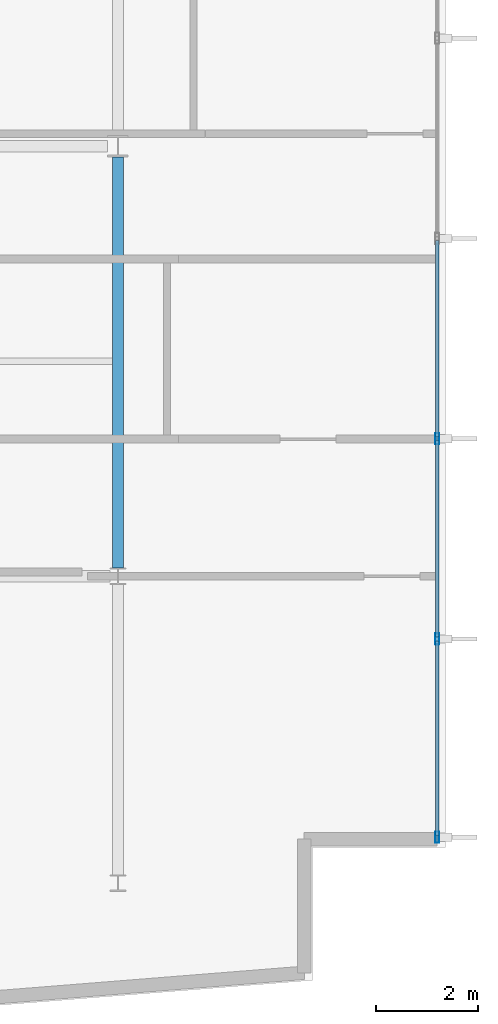
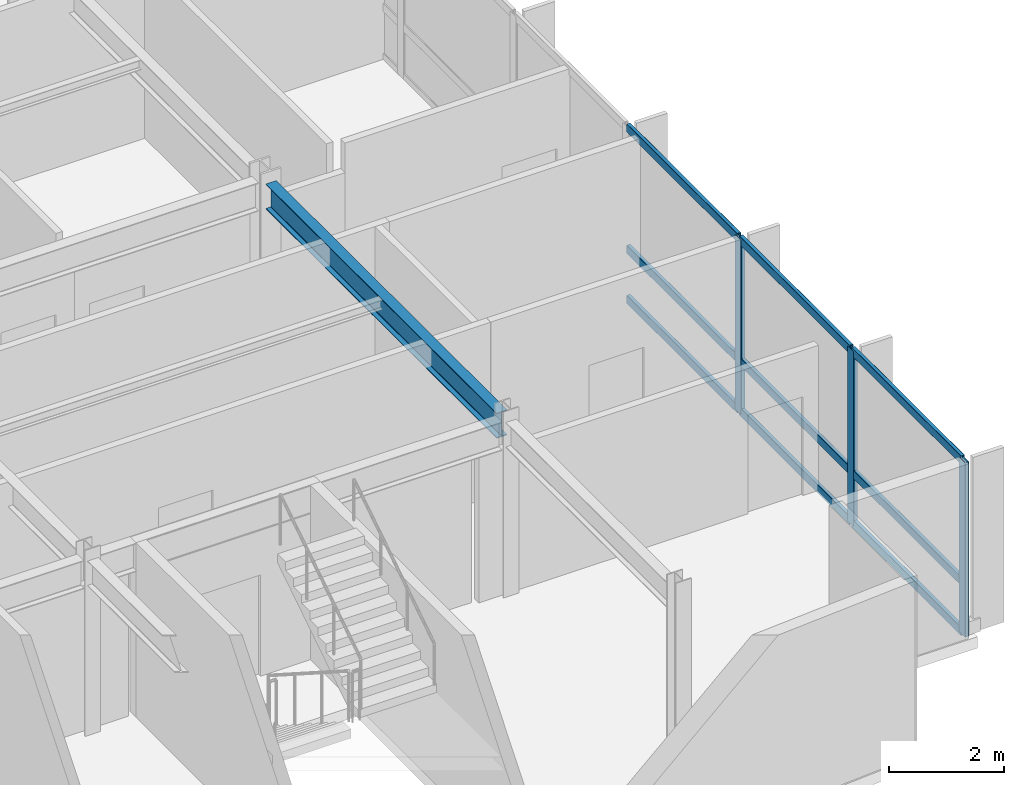
# One storey, part 5 of 19: 12 members, 1 beam, 1 element without a shape of its own.
"""IFC4 building model written with IfcOpenShell, lengths in metres."""

import ifcopenshell
import ifcopenshell.guid

model = None  # the IFC model being written
_history = None  # IfcOwnerHistory: only IFC2X3 demands one
_inside = {}  # id of a spatial element -> (the spatial element, [elements in it])
_under = {}  # id of a project, library or spatial element -> (it, [spatial elements below it])
_declared = {}  # id of a project -> (the project, [libraries it declares])
_typed = {}  # id of a type object -> (the type object, [elements of that type])
_made_of = {}  # id of a material, layer set ... -> (it, [elements and type objects made of it])


def new_model(schema):
    """Start an empty IFC model of exactly this schema.

    Asked for "IFC4X3", IfcOpenShell would pick the latest addendum, in which some entities
    have other attributes; the version numbers below select the first issue.
    IFC2X3 requires an IfcOwnerHistory on every rooted entity: one is made here for all.
    """
    global model, _history
    if schema == "IFC4X3":
        model = ifcopenshell.file(schema_version=(4, 3, 0, 0))
    else:
        model = ifcopenshell.file(schema=schema)
    _inside.clear()
    _under.clear()
    _declared.clear()
    _typed.clear()
    _made_of.clear()
    _history = None
    if model.schema == "IFC2X3":
        org = make("IfcOrganization", Name="unknown")
        user = make(
            "IfcPersonAndOrganization",
            ThePerson=make("IfcPerson", FamilyName="unknown"),
            TheOrganization=org,
        )
        app = make(
            "IfcApplication",
            ApplicationDeveloper=org,
            Version="unknown",
            ApplicationFullName="unknown",
            ApplicationIdentifier="unknown",
        )
        _history = make(
            "IfcOwnerHistory",
            OwningUser=user,
            OwningApplication=app,
            ChangeAction="ADDED",
            CreationDate=0,
        )
    return model


def make(cls, **values):
    """One entity of the class cls with the attributes given. An attribute that is None is left unset."""
    return model.create_entity(
        cls, **{name: value for name, value in values.items() if value is not None}
    )


def rooted(cls, **values):
    """An entity with a GlobalId (a new one), such as an element, a storey or a relation."""
    return make(cls, GlobalId=ifcopenshell.guid.new(), OwnerHistory=_history, **values)


def si_unit(unit_type, name, prefix=None):
    """IfcSIUnit, for example si_unit("LENGTHUNIT", "METRE", prefix="MILLI")."""
    return make("IfcSIUnit", UnitType=unit_type, Prefix=prefix, Name=name)


def assignment(units):
    """IfcUnitAssignment: the units of a project."""
    return None if units is None else make("IfcUnitAssignment", Units=units)


def point(xyz):
    """IfcCartesianPoint."""
    return None if xyz is None else make("IfcCartesianPoint", Coordinates=xyz)


def direction(xyz):
    """IfcDirection."""
    return None if xyz is None else make("IfcDirection", DirectionRatios=xyz)


def frame(location, z_axis=None, x_axis=None):
    """IfcAxis2Placement3D, a coordinate frame: its origin and axes. An axis left out is left unset."""
    return make(
        "IfcAxis2Placement3D",
        Location=point(location),
        Axis=direction(z_axis),
        RefDirection=direction(x_axis),
    )


def frame_2d(location, x_axis=None):
    """IfcAxis2Placement2D, a coordinate frame in the plane: its origin and x axis."""
    return make(
        "IfcAxis2Placement2D", Location=point(location), RefDirection=direction(x_axis)
    )


def origin():
    """The frame at (0, 0, 0) with its axes left unset."""
    return frame((0.0, 0.0, 0.0))


def origin_2d():
    """The frame at (0, 0) in the plane with its x axis left unset."""
    return frame_2d((0.0, 0.0))


def place(relative_to, where):
    """IfcLocalPlacement: puts the frame where relative to a parent placement (None: the world)."""
    return make(
        "IfcLocalPlacement", PlacementRelTo=relative_to, RelativePlacement=where
    )


def context(
    kind, dimensions, precision=None, world=None, true_north=None, identifier=None
):
    """IfcGeometricRepresentationContext, for example the 3D "Model" context."""
    return make(
        "IfcGeometricRepresentationContext",
        ContextIdentifier=identifier,
        ContextType=kind,
        CoordinateSpaceDimension=dimensions,
        Precision=precision,
        WorldCoordinateSystem=world,
        TrueNorth=true_north,
    )


def subcontext(parent, identifier, kind, view, scale=None):
    """IfcGeometricRepresentationSubContext, for example "Body" below "Model"."""
    return make(
        "IfcGeometricRepresentationSubContext",
        ContextIdentifier=identifier,
        ContextType=kind,
        ParentContext=parent,
        TargetScale=scale,
        TargetView=view,
    )


def project(units=None, contexts=None):
    """IfcProject with its units and contexts."""
    return rooted(
        "IfcProject",
        Name="project",
        RepresentationContexts=contexts,
        UnitsInContext=assignment(units),
    )


def spatial(cls, under=None, at=None, **own):
    """A site, building, storey or space (cls), placed at a placement, below another one or the project."""
    s = rooted(cls, ObjectPlacement=at, **own)
    if under is not None:
        _under.setdefault(under.id(), (under, []))[1].append(s)
    return s


def profile(cls, at=None, kind="AREA", **sizes):
    """A parametric profile (cls). Its sizes go by their IFC names, for example OverallWidth=200.0."""
    return make(cls, ProfileType=kind, Position=at, **sizes)


def hollow_rectangle(**sizes):
    """IfcRectangleHollowProfileDef."""
    return profile("IfcRectangleHollowProfileDef", **sizes)


def i_section(**sizes):
    """IfcIShapeProfileDef."""
    return profile("IfcIShapeProfileDef", **sizes)


def extrude(swept, where, along, depth):
    """IfcExtrudedAreaSolid: the profile swept, set in the frame where, extruded along a direction by depth."""
    return make(
        "IfcExtrudedAreaSolid",
        SweptArea=swept,
        Position=where,
        ExtrudedDirection=direction(along),
        Depth=depth,
    )


def shape(context_of_items, identifier, shape_type, items):
    """IfcShapeRepresentation: the items that make up one representation, for example the "Body"."""
    return make(
        "IfcShapeRepresentation",
        ContextOfItems=context_of_items,
        RepresentationIdentifier=identifier,
        RepresentationType=shape_type,
        Items=items,
    )


def material(Name=None, Category=None):
    """IfcMaterial."""
    return make("IfcMaterial", Name=Name, Category=Category)


def layer(
    of_material, thickness, ventilated=None, Name=None, Category=None, Priority=None
):
    """IfcMaterialLayer: one layer of a wall or slab, of a material (None: an air gap)."""
    return make(
        "IfcMaterialLayer",
        Material=of_material,
        LayerThickness=thickness,
        IsVentilated=ventilated,
        Name=Name,
        Category=Category,
        Priority=Priority,
    )


def layer_set(layers, Name=None):
    """IfcMaterialLayerSet."""
    return make("IfcMaterialLayerSet", MaterialLayers=layers, LayerSetName=Name)


def material_profile(
    of_material, cross_section, Name=None, Category=None, Priority=None
):
    """IfcMaterialProfile: a cross section and its material."""
    return make(
        "IfcMaterialProfile",
        Name=Name,
        Material=of_material,
        Profile=cross_section,
        Priority=Priority,
        Category=Category,
    )


def profile_set(profiles, Name=None, composite=None):
    """IfcMaterialProfileSet."""
    return make(
        "IfcMaterialProfileSet",
        Name=Name,
        MaterialProfiles=profiles,
        CompositeProfile=composite,
    )


def made_of(thing, what):
    """Note that an element or type object is made of a material, layer set ...; save() writes the relation."""
    if what is not None:
        _made_of.setdefault(what.id(), (what, []))[1].append(thing)
    return thing


def type_object(cls, material=None, **own):
    """A type object (cls), such as IfcWallType, which elements share."""
    return made_of(rooted(cls, **own), material)


def element(
    cls,
    number,
    at=None,
    inside=None,
    cuts=None,
    type_object=None,
    material=None,
    context=None,
    identifier="Body",
    shape_type=None,
    held_by="IfcProductDefinitionShape",
    body=None,
    shapes=None,
    **own,
):
    """One element of the class cls, such as IfcWall. Its Tag is "e" and its number.

    at: its placement. inside: the storey or other place that contains it. cuts: it is an
    opening in that element (IfcRelVoidsElement). A single representation is given by context,
    identifier, shape_type and body (its items); several are given by shapes. held_by: the class
    of the entity that holds the representations. save() writes the other relations.
    """
    e = rooted(cls, Tag="e%d" % number, ObjectPlacement=at, **own)
    if body is not None:
        shapes = [shape(context, identifier, shape_type, body)]
    if shapes is not None:
        e.Representation = make(held_by, Representations=shapes)
    if inside is not None:
        _inside.setdefault(inside.id(), (inside, []))[1].append(e)
    if cuts is not None:
        rooted(
            "IfcRelVoidsElement", RelatingBuildingElement=cuts, RelatedOpeningElement=e
        )
    if type_object is not None:
        _typed.setdefault(type_object.id(), (type_object, []))[1].append(e)
    return made_of(e, material)


def aggregate(whole, parts):
    """IfcRelAggregates: a whole, such as a stair, and the parts it consists of."""
    return rooted("IfcRelAggregates", RelatingObject=whole, RelatedObjects=parts)


def save(model, path):
    """Write the relations noted so far, then the file.

    IfcRelAggregates (storeys below a building ...), IfcRelContainedInSpatialStructure (elements
    in a storey), IfcRelDefinesByType, IfcRelAssociatesMaterial and IfcRelDeclares: one each for
    every whole, place, type object, material and project.
    """
    for whole, parts in _under.values():
        aggregate(whole, parts)
    for where, things in _inside.values():
        rooted(
            "IfcRelContainedInSpatialStructure",
            RelatedElements=things,
            RelatingStructure=where,
        )
    for kind, things in _typed.values():
        rooted("IfcRelDefinesByType", RelatedObjects=things, RelatingType=kind)
    for what, things in _made_of.values():
        rooted("IfcRelAssociatesMaterial", RelatedObjects=things, RelatingMaterial=what)
    for by, libraries in _declared.values():
        rooted("IfcRelDeclares", RelatingContext=by, RelatedDefinitions=libraries)
    model.write(path)


model = new_model("IFC4")

# Units and contexts
model_context = context("Model", 3, precision=1e-05, world=origin(), true_north=direction((0.0, 1.0)))
body_context = subcontext(model_context, "Body", "Model", "MODEL_VIEW")
ifc_project = project(units=[si_unit("LENGTHUNIT", "METRE"), si_unit("AREAUNIT", "SQUARE_METRE"), si_unit("VOLUMEUNIT", "CUBIC_METRE"), si_unit("PLANEANGLEUNIT", "RADIAN"), si_unit("MASSUNIT", "GRAM", prefix="KILO")], contexts=[model_context])

# Site, building, storey
site_placement = place(None, origin())
site = spatial("IfcSite", under=ifc_project, at=site_placement, CompositionType="ELEMENT")
building_placement = place(site_placement, origin())
building = spatial("IfcBuilding", under=site, at=building_placement, Name="Varnakote Quay Hospital", CompositionType="ELEMENT")
storey_placement = place(building_placement, frame((0.0, 0.0, 115.199951171875)))
storey = spatial("IfcBuildingStorey", under=building, at=storey_placement, Name="L28", CompositionType="ELEMENT", Elevation=115.199951171875)

# Beam
ifc_material_1 = material(Name="Structural steel AS/NZS 3679.1 Grade 350 L0 (fy 340 MPa)", Category="steel")
ifc_material_profile_1 = material_profile(ifc_material_1, i_section(OverallWidth=0.208984375, OverallDepth=0.532958984375, WebThickness=0.01025390625, FlangeThickness=0.015625, FilletRadius=0.013916015625, at=origin_2d()), Name="530UB92.4")
ifc_profile_set_1 = profile_set([ifc_material_profile_1], Name="Structural steel AS/NZS 3679.1 Grade 350 L0 (fy 340 MPa)")
beam_type = type_object("IfcBeamType", Name="BM-STL-530UB92-4", PredefinedType="BEAM", material=ifc_profile_set_1)
beam_placement = place(storey_placement, frame((50.39990234375, 12.160400390625, 3.443603515625), z_axis=(0.0, 1.0, 0.0), x_axis=(-1.0, 0.0, 0.0)))
element("IfcBeam", 1, at=beam_placement, inside=storey, type_object=beam_type, Name="L28 Primary Tie Beam", PredefinedType="BEAM", context=body_context, shape_type="SweptSolid", body=[
    extrude(i_section(OverallWidth=0.208984375, OverallDepth=0.532958984375, WebThickness=0.01025390625, FlangeThickness=0.015625, FilletRadius=0.013916015625, at=origin_2d()), origin(), (0.0, 0.0, 1.0), 8.029541015625),
])

# Curtain wall, members
ifc_material_2 = material(Name="Anodised aluminium 6063-T6 Bronze", Category="aluminium")
ifc_layer = layer(ifc_material_2, 0.205078125)
ifc_layer_set = layer_set([ifc_layer], Name="Anodised aluminium 6063-T6 Bronze")
curtain_wall_type = type_object("IfcCurtainWallType", Name="CW-SYS-3", PredefinedType="NOTDEFINED", material=ifc_layer_set)
curtain_wall_placement = place(storey_placement, origin())
curtain_wall = element("IfcCurtainWall", 2, at=curtain_wall_placement, inside=storey, type_object=curtain_wall_type, Name="L28 Unitised Bronze Curtain Wall 1", PredefinedType="NOTDEFINED")
ifc_material_3 = material(Name="Anodised aluminium 6063-T6 Bronze", Category="aluminium")
ifc_material_profile_2 = material_profile(ifc_material_3, hollow_rectangle(XDim=0.074951171875, YDim=0.219970703125, WallThickness=0.00439453125, InnerFilletRadius=0.00439453125, OuterFilletRadius=0.009033203125, at=origin_2d()), Name="CW-MULL-220x75")
ifc_profile_set_2 = profile_set([ifc_material_profile_2], Name="Anodised aluminium 6063-T6 Bronze")
member_type_1 = type_object("IfcMemberType", Name="CW-MULL-220x75", PredefinedType="MULLION", material=ifc_profile_set_2)
member_1_placement = place(storey_placement, frame((56.639892578125, 6.8974609375, 0.0), z_axis=(0.0, 0.0, 1.0), x_axis=(-1.0, 0.0, 0.0)))
member_1 = element("IfcMember", 3, at=member_1_placement, type_object=member_type_1, Name="-3-L28-1 mullion 1", PredefinedType="MULLION", context=body_context, shape_type="SweptSolid", body=[
    extrude(hollow_rectangle(XDim=0.074951171875, YDim=0.219970703125, WallThickness=0.00439453125, InnerFilletRadius=0.00439453125, OuterFilletRadius=0.009033203125, at=origin_2d()), origin(), (0.0, 0.0, 1.0), 3.7099609375),
])
member_2_placement = place(storey_placement, frame((56.639892578125, 10.7734375, 0.0), z_axis=(0.0, 0.0, 1.0), x_axis=(-1.0, 0.0, 0.0)))
member_2 = element("IfcMember", 4, at=member_2_placement, type_object=member_type_1, Name="-3-L28-1 mullion 2", PredefinedType="MULLION", context=body_context, shape_type="SweptSolid", body=[
    extrude(hollow_rectangle(XDim=0.074951171875, YDim=0.219970703125, WallThickness=0.00439453125, InnerFilletRadius=0.00439453125, OuterFilletRadius=0.009033203125, at=origin_2d()), origin(), (0.0, 0.0, 1.0), 3.7099609375),
])
member_3_placement = place(storey_placement, frame((56.639892578125, 14.686767578125, 0.0), z_axis=(0.0, 0.0, 1.0), x_axis=(-1.0, 0.0, 0.0)))
member_3 = element("IfcMember", 5, at=member_3_placement, type_object=member_type_1, Name="-3-L28-1 mullion 3", PredefinedType="MULLION", context=body_context, shape_type="SweptSolid", body=[
    extrude(hollow_rectangle(XDim=0.074951171875, YDim=0.219970703125, WallThickness=0.00439453125, InnerFilletRadius=0.00439453125, OuterFilletRadius=0.009033203125, at=origin_2d()), origin(), (0.0, 0.0, 1.0), 3.7099609375),
])
ifc_material_4 = material(Name="Anodised aluminium 6063-T6 Bronze", Category="aluminium")
ifc_material_profile_3 = material_profile(ifc_material_4, hollow_rectangle(XDim=0.074951171875, YDim=0.179931640625, WallThickness=0.004150390625, InnerFilletRadius=0.004150390625, OuterFilletRadius=0.00830078125, at=origin_2d()), Name="CW-TRAN-180x75")
ifc_profile_set_3 = profile_set([ifc_material_profile_3], Name="Anodised aluminium 6063-T6 Bronze")
member_type_2 = type_object("IfcMemberType", Name="CW-TRAN-180x75", PredefinedType="USERDEFINED", material=ifc_profile_set_3)
member_4_placement = place(storey_placement, frame((56.639892578125, 6.93505859375, 0.03759765625), z_axis=(0.0, 1.0, 0.0), x_axis=(-1.0, 0.0, 0.0)))
member_4 = element("IfcMember", 6, at=member_4_placement, type_object=member_type_2, Name="-3-L28-1 transom 1.1", ObjectType="TRANSOM", PredefinedType="USERDEFINED", context=body_context, shape_type="SweptSolid", body=[
    extrude(hollow_rectangle(XDim=0.074951171875, YDim=0.179931640625, WallThickness=0.004150390625, InnerFilletRadius=0.004150390625, OuterFilletRadius=0.00830078125, at=origin_2d()), origin(), (0.0, 0.0, 1.0), 3.80078125),
])
member_5_placement = place(storey_placement, frame((56.639892578125, 6.93505859375, 1.10009765625), z_axis=(0.0, 1.0, 0.0), x_axis=(-1.0, 0.0, 0.0)))
member_5 = element("IfcMember", 7, at=member_5_placement, type_object=member_type_2, Name="-3-L28-1 transom 1.2", ObjectType="TRANSOM", PredefinedType="USERDEFINED", context=body_context, shape_type="SweptSolid", body=[
    extrude(hollow_rectangle(XDim=0.074951171875, YDim=0.179931640625, WallThickness=0.004150390625, InnerFilletRadius=0.004150390625, OuterFilletRadius=0.00830078125, at=origin_2d()), origin(), (0.0, 0.0, 1.0), 3.80078125),
])
member_6_placement = place(storey_placement, frame((56.639892578125, 6.93505859375, 3.672607421875), z_axis=(0.0, 1.0, 0.0), x_axis=(-1.0, 0.0, 0.0)))
member_6 = element("IfcMember", 8, at=member_6_placement, type_object=member_type_2, Name="-3-L28-1 transom 1.3", ObjectType="TRANSOM", PredefinedType="USERDEFINED", context=body_context, shape_type="SweptSolid", body=[
    extrude(hollow_rectangle(XDim=0.074951171875, YDim=0.179931640625, WallThickness=0.004150390625, InnerFilletRadius=0.004150390625, OuterFilletRadius=0.00830078125, at=origin_2d()), origin(), (0.0, 0.0, 1.0), 3.80078125),
])
member_7_placement = place(storey_placement, frame((56.639892578125, 10.810791015625, 0.03759765625), z_axis=(0.0, 1.0, 0.0), x_axis=(-1.0, 0.0, 0.0)))
member_7 = element("IfcMember", 9, at=member_7_placement, type_object=member_type_2, Name="-3-L28-1 transom 2.1", ObjectType="TRANSOM", PredefinedType="USERDEFINED", context=body_context, shape_type="SweptSolid", body=[
    extrude(hollow_rectangle(XDim=0.074951171875, YDim=0.179931640625, WallThickness=0.004150390625, InnerFilletRadius=0.004150390625, OuterFilletRadius=0.00830078125, at=origin_2d()), origin(), (0.0, 0.0, 1.0), 3.83837890625),
])
member_8_placement = place(storey_placement, frame((56.639892578125, 10.810791015625, 1.10009765625), z_axis=(0.0, 1.0, 0.0), x_axis=(-1.0, 0.0, 0.0)))
member_8 = element("IfcMember", 10, at=member_8_placement, type_object=member_type_2, Name="-3-L28-1 transom 2.2", ObjectType="TRANSOM", PredefinedType="USERDEFINED", context=body_context, shape_type="SweptSolid", body=[
    extrude(hollow_rectangle(XDim=0.074951171875, YDim=0.179931640625, WallThickness=0.004150390625, InnerFilletRadius=0.004150390625, OuterFilletRadius=0.00830078125, at=origin_2d()), origin(), (0.0, 0.0, 1.0), 3.83837890625),
])
member_9_placement = place(storey_placement, frame((56.639892578125, 10.810791015625, 3.672607421875), z_axis=(0.0, 1.0, 0.0), x_axis=(-1.0, 0.0, 0.0)))
member_9 = element("IfcMember", 11, at=member_9_placement, type_object=member_type_2, Name="-3-L28-1 transom 2.3", ObjectType="TRANSOM", PredefinedType="USERDEFINED", context=body_context, shape_type="SweptSolid", body=[
    extrude(hollow_rectangle(XDim=0.074951171875, YDim=0.179931640625, WallThickness=0.004150390625, InnerFilletRadius=0.004150390625, OuterFilletRadius=0.00830078125, at=origin_2d()), origin(), (0.0, 0.0, 1.0), 3.83837890625),
])
member_10_placement = place(storey_placement, frame((56.639892578125, 14.72412109375, 0.03759765625), z_axis=(0.0, 1.0, 0.0), x_axis=(-1.0, 0.0, 0.0)))
member_10 = element("IfcMember", 12, at=member_10_placement, type_object=member_type_2, Name="-3-L28-1 transom 3.1", ObjectType="TRANSOM", PredefinedType="USERDEFINED", context=body_context, shape_type="SweptSolid", body=[
    extrude(hollow_rectangle(XDim=0.074951171875, YDim=0.179931640625, WallThickness=0.004150390625, InnerFilletRadius=0.004150390625, OuterFilletRadius=0.00830078125, at=origin_2d()), origin(), (0.0, 0.0, 1.0), 3.83837890625),
])
member_11_placement = place(storey_placement, frame((56.639892578125, 14.72412109375, 1.10009765625), z_axis=(0.0, 1.0, 0.0), x_axis=(-1.0, 0.0, 0.0)))
member_11 = element("IfcMember", 13, at=member_11_placement, type_object=member_type_2, Name="-3-L28-1 transom 3.2", ObjectType="TRANSOM", PredefinedType="USERDEFINED", context=body_context, shape_type="SweptSolid", body=[
    extrude(hollow_rectangle(XDim=0.074951171875, YDim=0.179931640625, WallThickness=0.004150390625, InnerFilletRadius=0.004150390625, OuterFilletRadius=0.00830078125, at=origin_2d()), origin(), (0.0, 0.0, 1.0), 3.83837890625),
])
member_12_placement = place(storey_placement, frame((56.639892578125, 14.72412109375, 3.672607421875), z_axis=(0.0, 1.0, 0.0), x_axis=(-1.0, 0.0, 0.0)))
member_12 = element("IfcMember", 14, at=member_12_placement, type_object=member_type_2, Name="-3-L28-1 transom 3.3", ObjectType="TRANSOM", PredefinedType="USERDEFINED", context=body_context, shape_type="SweptSolid", body=[
    extrude(hollow_rectangle(XDim=0.074951171875, YDim=0.179931640625, WallThickness=0.004150390625, InnerFilletRadius=0.004150390625, OuterFilletRadius=0.00830078125, at=origin_2d()), origin(), (0.0, 0.0, 1.0), 3.83837890625),
])
aggregate(curtain_wall, [member_1, member_2, member_3, member_4, member_5, member_6, member_7, member_8, member_9, member_10, member_11, member_12])

save(model, "model.ifc")
